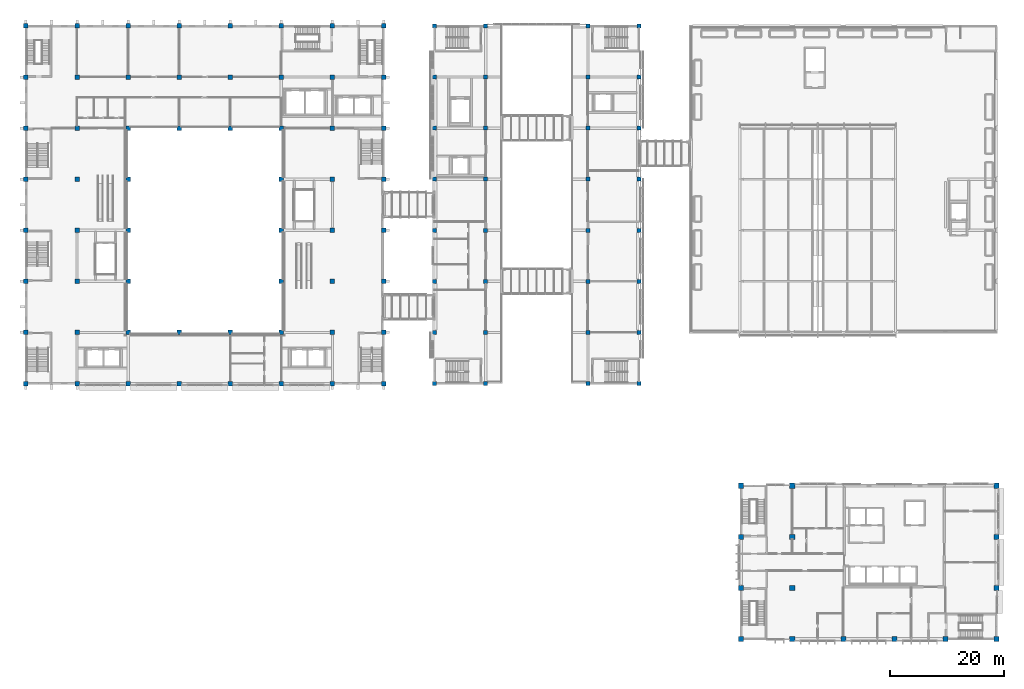
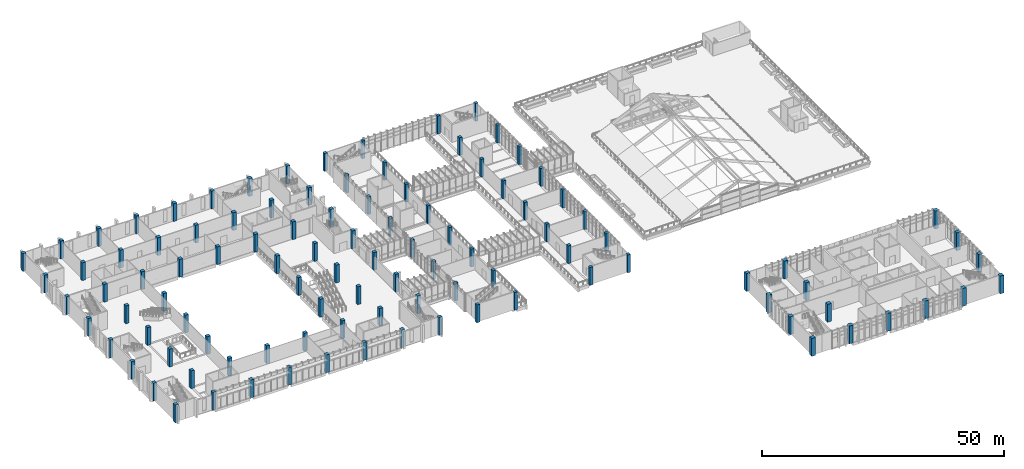
# One storey, part 1 of 106: 105 columns.
"""IFC4 building model written with IfcOpenShell, lengths in metres."""

from ifc_helpers import new_model, si_unit, direction, frame, origin, origin_2d, place, context, subcontext, project, spatial, rectangle, extrude, material, material_profile, profile_set, type_object, element, save


model = new_model("IFC4")

# Units and contexts
model_context = context("Model", 3, precision=1e-05, world=origin(), true_north=direction((0.0, 1.0)))
body_context = subcontext(model_context, "Body", "Model", "MODEL_VIEW")
ifc_project = project(units=[si_unit("LENGTHUNIT", "METRE"), si_unit("AREAUNIT", "SQUARE_METRE"), si_unit("VOLUMEUNIT", "CUBIC_METRE"), si_unit("PLANEANGLEUNIT", "RADIAN"), si_unit("MASSUNIT", "GRAM", prefix="KILO")], contexts=[model_context])

# Site, building, storey
site_placement = place(None, origin())
site = spatial("IfcSite", under=ifc_project, at=site_placement, CompositionType="ELEMENT")
building_placement = place(site_placement, origin())
building = spatial("IfcBuilding", under=site, at=building_placement, Name="Guidao Yard Department Store", CompositionType="ELEMENT")
storey_placement = place(building_placement, frame((0.0, 0.0, 10.5)))
storey = spatial("IfcBuildingStorey", under=building, at=storey_placement, Name="L02", CompositionType="ELEMENT", Elevation=10.5)

# Columns
ifc_material_1 = material(Name="Concrete C40", Category="concrete")
ifc_material_profile_1 = material_profile(ifc_material_1, rectangle(XDim=0.699951171875, YDim=0.699951171875, at=origin_2d()), Name="COL 700x700")
ifc_profile_set_1 = profile_set([ifc_material_profile_1], Name="Concrete C40")
column_type_1 = type_object("IfcColumnType", Name="Column 700x700 C40", PredefinedType="COLUMN", material=ifc_profile_set_1)
for number, where, z_axis, x_axis, name in (
    (1, (72.0, 45.0, 0.0), (0.0, 0.0, 1.0), (1.0, 0.0, 0.0), "Column 9/F L02"),
    (2, (81.0, 45.0, 0.0), (0.0, 0.0, 1.0), (1.0, 0.0, 0.0), "Column 10/F L02"),
    (3, (99.0, 45.0, 0.0), (0.0, 0.0, 1.0), (1.0, 0.0, 0.0), "Column 12/F L02"),
    (4, (108.0, 45.0, 0.0), (0.0, 0.0, 1.0), (1.0, 0.0, 0.0), "Column 13/F L02"),
    (5, (72.0, 54.0, 0.0), (0.0, 0.0, 1.0), (1.0, 0.0, 0.0), "Column 9/G L02"),
    (6, (81.0, 54.0, 0.0), (0.0, 0.0, 1.0), (1.0, 0.0, 0.0), "Column 10/G L02"),
    (7, (99.0, 54.0, 0.0), (0.0, 0.0, 1.0), (1.0, 0.0, 0.0), "Column 12/G L02"),
    (8, (108.0, 54.0, 0.0), (0.0, 0.0, 1.0), (1.0, 0.0, 0.0), "Column 13/G L02"),
    (9, (72.0, 63.0, 0.0), (0.0, 0.0, 1.0), (1.0, 0.0, 0.0), "Column 9/H L02"),
    (10, (81.0, 63.0, 0.0), (0.0, 0.0, 1.0), (1.0, 0.0, 0.0), "Column 10/H L02"),
    (11, (99.0, 63.0, 0.0), (0.0, 0.0, 1.0), (1.0, 0.0, 0.0), "Column 12/H L02"),
    (12, (108.0, 63.0, 0.0), (0.0, 0.0, 1.0), (1.0, 0.0, 0.0), "Column 13/H L02"),
    (13, (72.0, 72.0, 0.0), (0.0, 0.0, 1.0), (1.0, 0.0, 0.0), "Column 9/J L02"),
    (14, (81.0, 72.0, 0.0), (0.0, 0.0, 1.0), (1.0, 0.0, 0.0), "Column 10/J L02"),
    (15, (99.0, 72.0, 0.0), (0.0, 0.0, 1.0), (1.0, 0.0, 0.0), "Column 12/J L02"),
    (16, (108.0, 72.0, 0.0), (0.0, 0.0, 1.0), (1.0, 0.0, 0.0), "Column 13/J L02"),
    (17, (72.0, 81.0, 0.0), (0.0, 0.0, 1.0), (1.0, 0.0, 0.0), "Column 9/K L02"),
    (18, (81.0, 81.0, 0.0), (0.0, 0.0, 1.0), (1.0, 0.0, 0.0), "Column 10/K L02"),
    (19, (99.0, 81.0, 0.0), (0.0, 0.0, 1.0), (1.0, 0.0, 0.0), "Column 12/K L02"),
    (20, (108.0, 81.0, 0.0), (0.0, 0.0, 1.0), (1.0, 0.0, 0.0), "Column 13/K L02"),
    (21, (72.0, 90.0, 0.0), (0.0, 0.0, 1.0), (1.0, 0.0, 0.0), "Column 9/L L02"),
    (22, (81.0, 90.0, 0.0), (0.0, 0.0, 1.0), (1.0, 0.0, 0.0), "Column 10/L L02"),
    (23, (99.0, 90.0, 0.0), (0.0, 0.0, 1.0), (1.0, 0.0, 0.0), "Column 12/L L02"),
    (24, (108.0, 90.0, 0.0), (0.0, 0.0, 1.0), (1.0, 0.0, 0.0), "Column 13/L L02"),
    (25, (72.0, 99.0, 0.0), (0.0, 0.0, 1.0), (1.0, 0.0, 0.0), "Column 9/M L02"),
    (26, (81.0, 99.0, 0.0), (0.0, 0.0, 1.0), (1.0, 0.0, 0.0), "Column 10/M L02"),
    (27, (99.0, 99.0, 0.0), (0.0, 0.0, 1.0), (1.0, 0.0, 0.0), "Column 12/M L02"),
    (28, (108.0, 99.0, 0.0), (0.0, 0.0, 1.0), (1.0, 0.0, 0.0), "Column 13/M L02"),
    (29, (72.0, 108.0, 0.0), (0.0, 0.0, 1.0), (1.0, 0.0, 0.0), "Column 9/N L02"),
    (30, (81.0, 108.0, 0.0), (0.0, 0.0, 1.0), (1.0, 0.0, 0.0), "Column 10/N L02"),
    (31, (99.0, 108.0, 0.0), (0.0, 0.0, 1.0), (1.0, 0.0, 0.0), "Column 12/N L02"),
    (32, (108.0, 108.0, 0.0), (0.0, 0.0, 1.0), (1.0, 0.0, 0.0), "Column 13/N L02"),
):
    element("IfcColumn", number, at=place(storey_placement, frame(where, z_axis=z_axis, x_axis=x_axis)), inside=storey, type_object=column_type_1, Name=name, PredefinedType="COLUMN", context=body_context, shape_type="SweptSolid", body=[
        extrude(rectangle(XDim=0.699951171875, YDim=0.699951171875, at=origin_2d()), origin(), (0.0, 0.0, 1.0), 4.5),
    ])
ifc_material_2 = material(Name="Concrete C50", Category="concrete")
ifc_material_profile_2 = material_profile(ifc_material_2, rectangle(XDim=0.800048828125, YDim=0.800048828125, at=origin_2d()), Name="COL 800x800")
ifc_profile_set_2 = profile_set([ifc_material_profile_2], Name="Concrete C50")
column_type_2 = type_object("IfcColumnType", Name="Column 800x800 C50", PredefinedType="COLUMN", material=ifc_profile_set_2)
for number, where, z_axis, x_axis, name in (
    (33, (0.0, 45.0, 0.0), (0.0, 0.0, 1.0), (1.0, 0.0, 0.0), "Column 1/F L02"),
    (34, (9.0, 45.0, 0.0), (0.0, 0.0, 1.0), (1.0, 0.0, 0.0), "Column 2/F L02"),
    (35, (18.0, 45.0, 0.0), (0.0, 0.0, 1.0), (1.0, 0.0, 0.0), "Column 3/F L02"),
    (36, (27.0, 45.0, 0.0), (0.0, 0.0, 1.0), (1.0, 0.0, 0.0), "Column 4/F L02"),
    (37, (36.0, 45.0, 0.0), (0.0, 0.0, 1.0), (1.0, 0.0, 0.0), "Column 5/F L02"),
    (38, (45.0, 45.0, 0.0), (0.0, 0.0, 1.0), (1.0, 0.0, 0.0), "Column 6/F L02"),
    (39, (54.0, 45.0, 0.0), (0.0, 0.0, 1.0), (1.0, 0.0, 0.0), "Column 7/F L02"),
    (40, (63.0, 45.0, 0.0), (0.0, 0.0, 1.0), (1.0, 0.0, 0.0), "Column 8/F L02"),
    (41, (0.0, 54.0, 0.0), (0.0, 0.0, 1.0), (1.0, 0.0, 0.0), "Column 1/G L02"),
    (42, (9.0, 54.0, 0.0), (0.0, 0.0, 1.0), (1.0, 0.0, 0.0), "Column 2/G L02"),
    (43, (18.0, 54.0, 0.0), (0.0, 0.0, 1.0), (1.0, 0.0, 0.0), "Column 3/G L02"),
    (44, (27.0, 54.0, 0.0), (0.0, 0.0, 1.0), (1.0, 0.0, 0.0), "Column 4/G L02"),
    (45, (36.0, 54.0, 0.0), (0.0, 0.0, 1.0), (1.0, 0.0, 0.0), "Column 5/G L02"),
    (46, (45.0, 54.0, 0.0), (0.0, 0.0, 1.0), (1.0, 0.0, 0.0), "Column 6/G L02"),
    (47, (54.0, 54.0, 0.0), (0.0, 0.0, 1.0), (1.0, 0.0, 0.0), "Column 7/G L02"),
    (48, (63.0, 54.0, 0.0), (0.0, 0.0, 1.0), (1.0, 0.0, 0.0), "Column 8/G L02"),
    (49, (0.0, 63.0, 0.0), (0.0, 0.0, 1.0), (1.0, 0.0, 0.0), "Column 1/H L02"),
    (50, (9.0, 63.0, 0.0), (0.0, 0.0, 1.0), (1.0, 0.0, 0.0), "Column 2/H L02"),
    (51, (18.0, 63.0, 0.0), (0.0, 0.0, 1.0), (1.0, 0.0, 0.0), "Column 3/H L02"),
    (52, (45.0, 63.0, 0.0), (0.0, 0.0, 1.0), (1.0, 0.0, 0.0), "Column 6/H L02"),
    (53, (54.0, 63.0, 0.0), (0.0, 0.0, 1.0), (1.0, 0.0, 0.0), "Column 7/H L02"),
    (54, (63.0, 63.0, 0.0), (0.0, 0.0, 1.0), (1.0, 0.0, 0.0), "Column 8/H L02"),
    (55, (0.0, 72.0, 0.0), (0.0, 0.0, 1.0), (1.0, 0.0, 0.0), "Column 1/J L02"),
    (56, (9.0, 72.0, 0.0), (0.0, 0.0, 1.0), (1.0, 0.0, 0.0), "Column 2/J L02"),
    (57, (18.0, 72.0, 0.0), (0.0, 0.0, 1.0), (1.0, 0.0, 0.0), "Column 3/J L02"),
    (58, (45.0, 72.0, 0.0), (0.0, 0.0, 1.0), (1.0, 0.0, 0.0), "Column 6/J L02"),
    (59, (54.0, 72.0, 0.0), (0.0, 0.0, 1.0), (1.0, 0.0, 0.0), "Column 7/J L02"),
    (60, (63.0, 72.0, 0.0), (0.0, 0.0, 1.0), (1.0, 0.0, 0.0), "Column 8/J L02"),
    (61, (0.0, 81.0, 0.0), (0.0, 0.0, 1.0), (1.0, 0.0, 0.0), "Column 1/K L02"),
    (62, (9.0, 81.0, 0.0), (0.0, 0.0, 1.0), (1.0, 0.0, 0.0), "Column 2/K L02"),
    (63, (18.0, 81.0, 0.0), (0.0, 0.0, 1.0), (1.0, 0.0, 0.0), "Column 3/K L02"),
    (64, (45.0, 81.0, 0.0), (0.0, 0.0, 1.0), (1.0, 0.0, 0.0), "Column 6/K L02"),
    (65, (54.0, 81.0, 0.0), (0.0, 0.0, 1.0), (1.0, 0.0, 0.0), "Column 7/K L02"),
    (66, (63.0, 81.0, 0.0), (0.0, 0.0, 1.0), (1.0, 0.0, 0.0), "Column 8/K L02"),
    (67, (0.0, 90.0, 0.0), (0.0, 0.0, 1.0), (1.0, 0.0, 0.0), "Column 1/L L02"),
    (68, (9.0, 90.0, 0.0), (0.0, 0.0, 1.0), (1.0, 0.0, 0.0), "Column 2/L L02"),
    (69, (18.0, 90.0, 0.0), (0.0, 0.0, 1.0), (1.0, 0.0, 0.0), "Column 3/L L02"),
    (70, (27.0, 90.0, 0.0), (0.0, 0.0, 1.0), (1.0, 0.0, 0.0), "Column 4/L L02"),
    (71, (36.0, 90.0, 0.0), (0.0, 0.0, 1.0), (1.0, 0.0, 0.0), "Column 5/L L02"),
    (72, (45.0, 90.0, 0.0), (0.0, 0.0, 1.0), (1.0, 0.0, 0.0), "Column 6/L L02"),
    (73, (54.0, 90.0, 0.0), (0.0, 0.0, 1.0), (1.0, 0.0, 0.0), "Column 7/L L02"),
    (74, (63.0, 90.0, 0.0), (0.0, 0.0, 1.0), (1.0, 0.0, 0.0), "Column 8/L L02"),
    (75, (0.0, 99.0, 0.0), (0.0, 0.0, 1.0), (1.0, 0.0, 0.0), "Column 1/M L02"),
    (76, (9.0, 99.0, 0.0), (0.0, 0.0, 1.0), (1.0, 0.0, 0.0), "Column 2/M L02"),
    (77, (18.0, 99.0, 0.0), (0.0, 0.0, 1.0), (1.0, 0.0, 0.0), "Column 3/M L02"),
    (78, (27.0, 99.0, 0.0), (0.0, 0.0, 1.0), (1.0, 0.0, 0.0), "Column 4/M L02"),
    (79, (36.0, 99.0, 0.0), (0.0, 0.0, 1.0), (1.0, 0.0, 0.0), "Column 5/M L02"),
    (80, (45.0, 99.0, 0.0), (0.0, 0.0, 1.0), (1.0, 0.0, 0.0), "Column 6/M L02"),
    (81, (54.0, 99.0, 0.0), (0.0, 0.0, 1.0), (1.0, 0.0, 0.0), "Column 7/M L02"),
    (82, (63.0, 99.0, 0.0), (0.0, 0.0, 1.0), (1.0, 0.0, 0.0), "Column 8/M L02"),
    (83, (0.0, 108.0, 0.0), (0.0, 0.0, 1.0), (1.0, 0.0, 0.0), "Column 1/N L02"),
    (84, (9.0, 108.0, 0.0), (0.0, 0.0, 1.0), (1.0, 0.0, 0.0), "Column 2/N L02"),
    (85, (18.0, 108.0, 0.0), (0.0, 0.0, 1.0), (1.0, 0.0, 0.0), "Column 3/N L02"),
    (86, (27.0, 108.0, 0.0), (0.0, 0.0, 1.0), (1.0, 0.0, 0.0), "Column 4/N L02"),
    (87, (36.0, 108.0, 0.0), (0.0, 0.0, 1.0), (1.0, 0.0, 0.0), "Column 5/N L02"),
    (88, (45.0, 108.0, 0.0), (0.0, 0.0, 1.0), (1.0, 0.0, 0.0), "Column 6/N L02"),
    (89, (54.0, 108.0, 0.0), (0.0, 0.0, 1.0), (1.0, 0.0, 0.0), "Column 7/N L02"),
    (90, (63.0, 108.0, 0.0), (0.0, 0.0, 1.0), (1.0, 0.0, 0.0), "Column 8/N L02"),
):
    element("IfcColumn", number, at=place(storey_placement, frame(where, z_axis=z_axis, x_axis=x_axis)), inside=storey, type_object=column_type_2, Name=name, PredefinedType="COLUMN", context=body_context, shape_type="SweptSolid", body=[
        extrude(rectangle(XDim=0.800048828125, YDim=0.800048828125, at=origin_2d()), origin(), (0.0, 0.0, 1.0), 4.5),
    ])
ifc_material_3 = material(Name="Concrete C60", Category="concrete")
ifc_material_profile_3 = material_profile(ifc_material_3, rectangle(XDim=0.89990234375, YDim=0.89990234375, at=origin_2d()), Name="COL 900x900")
ifc_profile_set_3 = profile_set([ifc_material_profile_3], Name="Concrete C60")
column_type_3 = type_object("IfcColumnType", Name="Column 900x900 C60", PredefinedType="COLUMN", material=ifc_profile_set_3)
for number, where, z_axis, x_axis, name in (
    (91, (126.0, 0.0, 0.0), (0.0, 0.0, 1.0), (1.0, 0.0, 0.0), "Column 15/A L02"),
    (92, (135.0, 0.0, 0.0), (0.0, 0.0, 1.0), (1.0, 0.0, 0.0), "Column 16/A L02"),
    (93, (144.0, 0.0, 0.0), (0.0, 0.0, 1.0), (1.0, 0.0, 0.0), "Column 17/A L02"),
    (94, (153.0, 0.0, 0.0), (0.0, 0.0, 1.0), (1.0, 0.0, 0.0), "Column 18/A L02"),
    (95, (162.0, 0.0, 0.0), (0.0, 0.0, 1.0), (1.0, 0.0, 0.0), "Column 19/A L02"),
    (96, (171.0, 0.0, 0.0), (0.0, 0.0, 1.0), (1.0, 0.0, 0.0), "Column 20/A L02"),
    (97, (126.0, 9.0, 0.0), (0.0, 0.0, 1.0), (1.0, 0.0, 0.0), "Column 15/B L02"),
    (98, (135.0, 9.0, 0.0), (0.0, 0.0, 1.0), (1.0, 0.0, 0.0), "Column 16/B L02"),
    (99, (171.0, 9.0, 0.0), (0.0, 0.0, 1.0), (1.0, 0.0, 0.0), "Column 20/B L02"),
    (100, (126.0, 18.0, 0.0), (0.0, 0.0, 1.0), (1.0, 0.0, 0.0), "Column 15/C L02"),
    (101, (135.0, 18.0, 0.0), (0.0, 0.0, 1.0), (1.0, 0.0, 0.0), "Column 16/C L02"),
    (102, (171.0, 18.0, 0.0), (0.0, 0.0, 1.0), (1.0, 0.0, 0.0), "Column 20/C L02"),
    (103, (126.0, 27.0, 0.0), (0.0, 0.0, 1.0), (1.0, 0.0, 0.0), "Column 15/D L02"),
    (104, (135.0, 27.0, 0.0), (0.0, 0.0, 1.0), (1.0, 0.0, 0.0), "Column 16/D L02"),
    (105, (171.0, 27.0, 0.0), (0.0, 0.0, 1.0), (1.0, 0.0, 0.0), "Column 20/D L02"),
):
    element("IfcColumn", number, at=place(storey_placement, frame(where, z_axis=z_axis, x_axis=x_axis)), inside=storey, type_object=column_type_3, Name=name, PredefinedType="COLUMN", context=body_context, shape_type="SweptSolid", body=[
        extrude(rectangle(XDim=0.89990234375, YDim=0.89990234375, at=origin_2d()), origin(), (0.0, 0.0, 1.0), 4.5),
    ])

save(model, "model.ifc")
